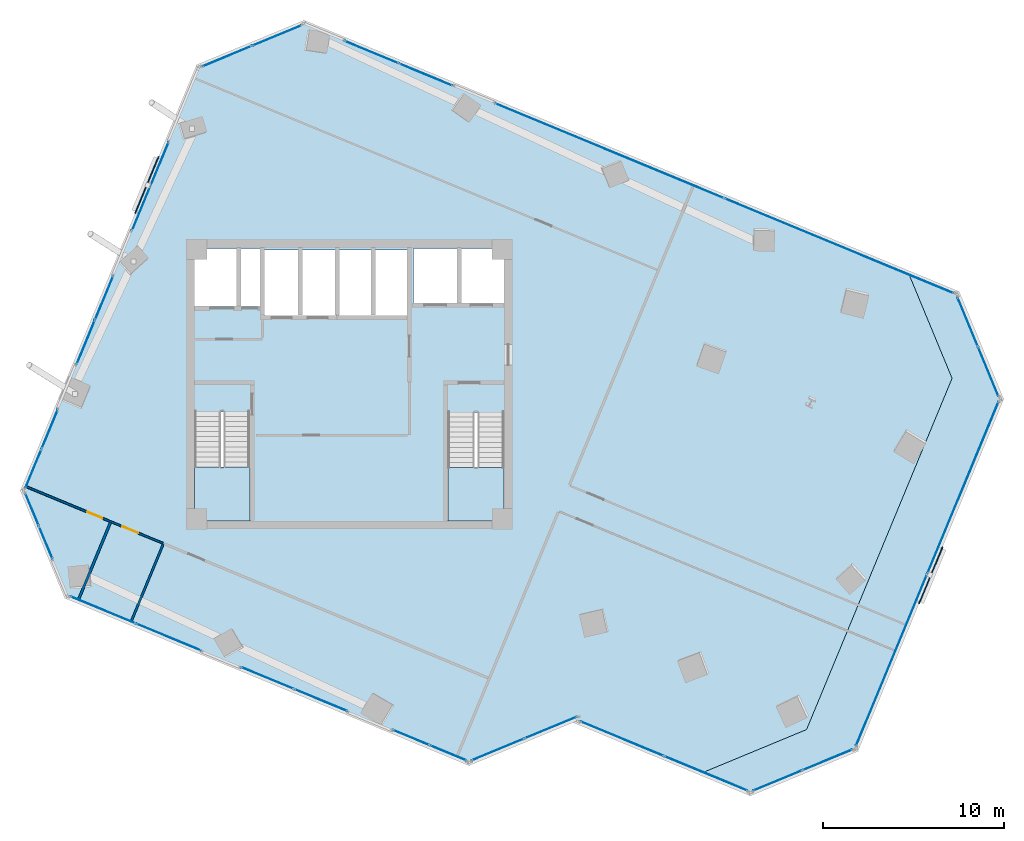
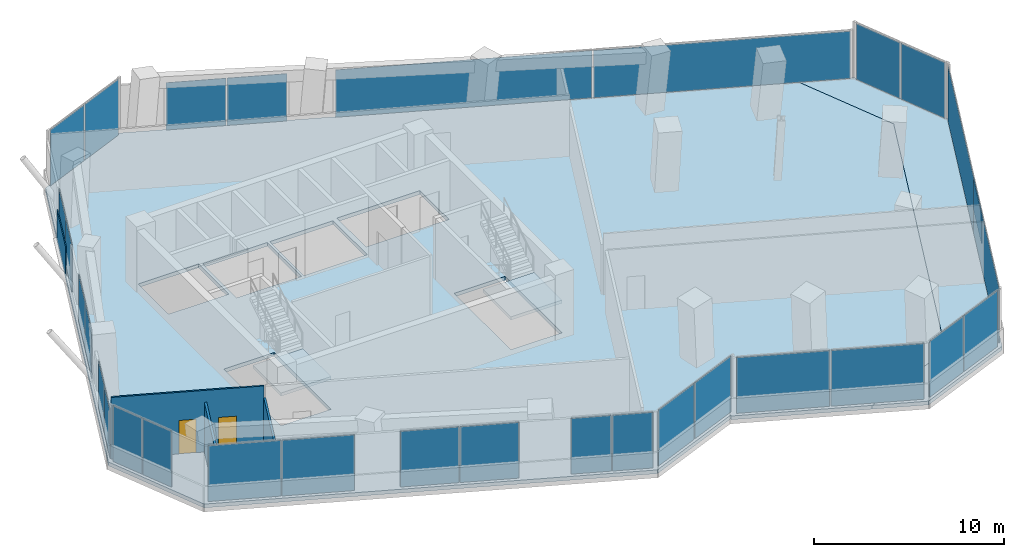
# One storey, part 16 of 22: 32 plates, 4 slabs, 3 walls, 2 doors, 2 openings, 17 elements without a shape of their own.
"""IFC4 building model written with IfcOpenShell, lengths in metres."""

from ifc_helpers import new_model, si_unit, direction, frame, frame_2d, origin, origin_2d, place, context, subcontext, project, spatial, polyline, rectangle, outline, extrude, source, transform, mapped, material, layer, layer_set, type_object, element, fill, aggregate, save


model = new_model("IFC4")

# Units and contexts
model_context = context("Model", 3, precision=1e-05, world=origin(), true_north=direction((0.0, 1.0)))
body_context = subcontext(model_context, "Body", "Model", "MODEL_VIEW")
ifc_project = project(units=[si_unit("LENGTHUNIT", "METRE"), si_unit("AREAUNIT", "SQUARE_METRE"), si_unit("VOLUMEUNIT", "CUBIC_METRE"), si_unit("PLANEANGLEUNIT", "RADIAN"), si_unit("MASSUNIT", "GRAM", prefix="KILO")], contexts=[model_context])

# Site, building, storey
site_placement = place(None, origin())
site = spatial("IfcSite", under=ifc_project, at=site_placement, CompositionType="ELEMENT")
building_placement = place(site_placement, origin())
building = spatial("IfcBuilding", under=site, at=building_placement, Name="Torre Montelarca", CompositionType="ELEMENT")
storey_placement = place(building_placement, frame((0.0, 0.0, 149.800048828125)))
storey = spatial("IfcBuildingStorey", under=building, at=storey_placement, Name="L33", CompositionType="ELEMENT", Elevation=149.800048828125)

# Slabs
ifc_material_1 = material(Name="Concrete C40/50", Category="concrete")
ifc_layer_1 = layer(ifc_material_1, 0.239990234375, Name="Concrete C40/50", Category="concrete")
ifc_layer_set_1 = layer_set([ifc_layer_1], Name="Concrete C40/50")
slab_type_1 = type_object("IfcSlabType", Name="SL-FLR-240", PredefinedType="FLOOR", material=ifc_layer_set_1)
slab_1_placement = place(storey_placement, frame((0.0, 0.0, -0.239990234375)))
element("IfcSlab", 1, at=slab_1_placement, inside=storey, type_object=slab_type_1, Name="L33 Structural Floor Slab", PredefinedType="FLOOR", context=body_context, shape_type="SweptSolid", body=[
    extrude(outline(polyline([(24.60546875, 11.01416015625), (30.485107421875, 13.449462890625), (30.44677734375, 13.357177734375), (37.375732421875, 10.487060546875), (43.25537109375, 12.92236328125), (51.291748046875, 32.323974609375), (48.856201171875, 38.203369140625), (15.50439453125, 52.018310546875), (9.624755859375, 49.5830078125), (-0.095458984375, 26.1162109375), (2.340087890625, 20.23681640625), (24.60546875, 11.01416015625)]), holes=[polyline([(26.550048828125, 24.449951171875), (23.43994140625, 24.449951171875), (23.43994140625, 30.429931640625), (26.550048828125, 30.429931640625), (26.550048828125, 24.449951171875)]), polyline([(9.449951171875, 24.449951171875), (9.449951171875, 30.4599609375), (12.5, 30.4599609375), (12.5, 24.449951171875), (9.449951171875, 24.449951171875)]), polyline([(17.25, 35.800048828125), (13.300048828125, 35.800048828125), (13.300048828125, 39.39990234375), (17.25, 39.39990234375), (17.25, 35.800048828125)]), polyline([(21.25, 39.39990234375), (21.25, 35.800048828125), (17.39990234375, 35.800048828125), (17.39990234375, 39.39990234375), (21.25, 39.39990234375)]), polyline([(13.1201171875, 36.300048828125), (9.449951171875, 36.300048828125), (9.449951171875, 39.5), (13.1201171875, 39.5), (13.1201171875, 36.300048828125)]), polyline([(26.60009765625, 36.449951171875), (21.550048828125, 36.449951171875), (21.550048828125, 39.5), (26.60009765625, 39.5), (26.60009765625, 36.449951171875)])]), origin(), (0.0, 0.0, 1.0), 0.239990234375),
])
slab_2_placement = place(storey_placement, frame((0.0, 0.0, -0.239990234375)))
element("IfcSlab", 2, at=slab_2_placement, inside=storey, type_object=slab_type_1, Name="L33 Sliding Tray Winter Garden Floor Slab E1", PredefinedType="FLOOR", context=body_context, shape_type="SweptSolid", body=[
    extrude(outline(polyline([(48.856201171875, 38.203369140625), (51.291748046875, 32.323974609375), (43.25537109375, 12.92236328125), (37.375732421875, 10.487060546875), (40.1474609375, 9.339111328125), (46.027099609375, 11.7744140625), (54.063232421875, 31.17578125), (51.6279296875, 37.055419921875), (48.856201171875, 38.203369140625)])), origin(), (0.0, 0.0, 1.0), 0.239990234375),
])

# Stair, slab
stair_type_1 = type_object("IfcStairType", Name="ST-CORE-ST1", PredefinedType="HALF_TURN_STAIR", material=ifc_material_1)
stair_1_placement = place(storey_placement, origin())
stair_1 = element("IfcStair", 3, at=stair_1_placement, inside=storey, type_object=stair_type_1, Name="L33 Protected Exit Stair ST1", PredefinedType="HALF_TURN_STAIR")
ifc_layer_2 = layer(ifc_material_1, 0.199951171875, Name="Concrete C40/50", Category="concrete")
ifc_layer_set_2 = layer_set([ifc_layer_2], Name="Concrete C40/50")
slab_type_2 = type_object("IfcSlabType", Name="SL-ST-LAND-ST1", PredefinedType="LANDING", material=ifc_layer_set_2)
slab_3_placement = place(storey_placement, frame((0.0, 0.0, 1.89990234375)))
slab_3 = element("IfcSlab", 4, at=slab_3_placement, type_object=slab_type_2, Name="ST1 landing 1", PredefinedType="LANDING", context=body_context, shape_type="SweptSolid", body=[
    extrude(outline(polyline([(9.449951171875, 27.419921875), (9.449951171875, 24.449951171875), (12.5, 24.449951171875), (12.5, 27.419921875), (9.449951171875, 27.419921875)])), origin(), (0.0, 0.0, 1.0), 0.199951171875),
])
aggregate(stair_1, [slab_3])

stair_type_2 = type_object("IfcStairType", Name="ST-CORE-ST2", PredefinedType="HALF_TURN_STAIR", material=ifc_material_1)
stair_2_placement = place(storey_placement, origin())
stair_2 = element("IfcStair", 5, at=stair_2_placement, inside=storey, type_object=stair_type_2, Name="L33 Protected Exit Stair ST2", PredefinedType="HALF_TURN_STAIR")
ifc_layer_3 = layer(ifc_material_1, 0.199951171875, Name="Concrete C40/50", Category="concrete")
ifc_layer_set_3 = layer_set([ifc_layer_3], Name="Concrete C40/50")
slab_type_3 = type_object("IfcSlabType", Name="SL-ST-LAND-ST2", PredefinedType="LANDING", material=ifc_layer_set_3)
slab_4_placement = place(storey_placement, frame((0.0, 0.0, 1.89990234375)))
slab_4 = element("IfcSlab", 6, at=slab_4_placement, type_object=slab_type_3, Name="ST2 landing 1", PredefinedType="LANDING", context=body_context, shape_type="SweptSolid", body=[
    extrude(outline(polyline([(23.43994140625, 27.389892578125), (23.43994140625, 24.449951171875), (26.550048828125, 24.449951171875), (26.550048828125, 27.389892578125), (23.43994140625, 27.389892578125)])), origin(), (0.0, 0.0, 1.0), 0.199951171875),
])
aggregate(stair_2, [slab_4])

# Plates
ifc_material_2 = material(Name="Architectural perforated terracotta ceramic", Category="masonry")
ifc_layer_4 = layer(ifc_material_2, 0.074951171875, Name="Architectural perforated terracotta ceramic", Category="masonry")
ifc_layer_set_4 = layer_set([ifc_layer_4], Name="Architectural perforated terracotta ceramic")
plate_type_1 = type_object("IfcPlateType", Name="SCR-CER-75", PredefinedType="USERDEFINED", material=ifc_layer_set_4)
shared_shape_1 = source(origin(), body_context, "Body", "SweptSolid", [
    extrude(rectangle(XDim=3.39990234375, YDim=0.06005859375, at=origin_2d()), origin(), (0.0, 0.0, 1.0), 1.89990234375),
])
for number, where, z_axis, x_axis, name in (
    (7, (50.119140625, 21.4443359375, 0.5), (0.0, 0.0, 1.0), (0.382680207415, 0.923880868323, 0.0), "L33 Perforated Ceramic Brise-Soleil Screen E6-1"),
    (8, (6.814697265625, 43.008056640625, 0.5), (0.0, 0.0, 1.0), (-0.382680207415, -0.923880868323, 0.0), "L33 Perforated Ceramic Brise-Soleil Screen E10-1"),
):
    element("IfcPlate", number, at=place(storey_placement, frame(where, z_axis=z_axis, x_axis=x_axis)), inside=storey, type_object=plate_type_1, Name=name, ObjectType="SOLAR SCREEN", PredefinedType="USERDEFINED", context=body_context, shape_type="MappedRepresentation", body=[
        mapped(shared_shape_1, transform((0.0, 0.0, 0.0), scale=1.0)),
    ])

# Curtain wall, plates
ifc_material_3 = material(Name="Insulated low-E laminated glass", Category="glass")
curtain_wall_type = type_object("IfcCurtainWallType", Name="CW-SYS-Z2", PredefinedType="USERDEFINED", material=ifc_material_3)
curtain_wall_1_placement = place(storey_placement, origin())
curtain_wall_1 = element("IfcCurtainWall", 9, at=curtain_wall_1_placement, inside=storey, type_object=curtain_wall_type, Name="L33 Curtain Wall Run CW-T3-L33-E05-B1", ObjectType="UNITISED GLAZING", PredefinedType="USERDEFINED")
ifc_layer_5 = layer(ifc_material_3, 0.031982421875, Name="Insulated low-E laminated glass", Category="glass")
ifc_layer_set_5 = layer_set([ifc_layer_5], Name="Insulated low-E laminated glass")
plate_type_2 = type_object("IfcPlateType", Name="CWP-GLZ-32", PredefinedType="CURTAIN_PANEL", material=ifc_layer_set_5)
shared_shape_2 = source(origin(), body_context, "Body", "SweptSolid", [
    extrude(rectangle(XDim=2.918701171875, YDim=0.031982421875, at=origin_2d()), origin(), (0.0, 0.0, 1.0), 3.590087890625),
])
plate_1_placement = place(storey_placement, frame((41.6591796875, 10.10595703125, 0.06494140625), z_axis=(0.0, 0.0, 1.0), x_axis=(0.923888535136, 0.382661697384, 0.0)))
plate_1 = element("IfcPlate", 10, at=plate_1_placement, type_object=plate_type_2, Name="CW panel 1.1", PredefinedType="CURTAIN_PANEL", context=body_context, shape_type="MappedRepresentation", body=[
    mapped(shared_shape_2, transform((0.0, 0.0, 0.0), scale=1.0)),
])
plate_2_placement = place(storey_placement, frame((44.415771484375, 11.24755859375, 0.06494140625), z_axis=(0.0, 0.0, 1.0), x_axis=(0.923888535136, 0.382661697384, 0.0)))
plate_2 = element("IfcPlate", 11, at=plate_2_placement, type_object=plate_type_2, Name="CW panel 2.1", PredefinedType="CURTAIN_PANEL", context=body_context, shape_type="MappedRepresentation", body=[
    mapped(shared_shape_2, transform((0.0, 0.0, 0.0), scale=1.0)),
])
aggregate(curtain_wall_1, [plate_1, plate_2])

curtain_wall_2_placement = place(storey_placement, origin())
curtain_wall_2 = element("IfcCurtainWall", 12, at=curtain_wall_2_placement, inside=storey, type_object=curtain_wall_type, Name="L33 Curtain Wall Run CW-T3-L33-E09-B1", ObjectType="UNITISED GLAZING", PredefinedType="USERDEFINED")
plate_3_placement = place(storey_placement, frame((13.992431640625, 51.25146484375, 0.06494140625), z_axis=(0.0, 0.0, 1.0), x_axis=(-0.923882674262, -0.38267584742, 0.0)))
plate_3 = element("IfcPlate", 13, at=plate_3_placement, type_object=plate_type_2, Name="CW panel 1.1", PredefinedType="CURTAIN_PANEL", context=body_context, shape_type="MappedRepresentation", body=[
    mapped(shared_shape_2, transform((0.0, 0.0, 0.0), scale=1.0)),
])
plate_4_placement = place(storey_placement, frame((11.236083984375, 50.109619140625, 0.06494140625), z_axis=(0.0, 0.0, 1.0), x_axis=(-0.923882674262, -0.38267584742, 0.0)))
plate_4 = element("IfcPlate", 14, at=plate_4_placement, type_object=plate_type_2, Name="CW panel 2.1", PredefinedType="CURTAIN_PANEL", context=body_context, shape_type="MappedRepresentation", body=[
    mapped(shared_shape_2, transform((0.0, 0.0, 0.0), scale=1.0)),
])
aggregate(curtain_wall_2, [plate_3, plate_4])

curtain_wall_3_placement = place(storey_placement, origin())
curtain_wall_3 = element("IfcCurtainWall", 15, at=curtain_wall_3_placement, inside=storey, type_object=curtain_wall_type, Name="L33 Curtain Wall Run CW-T3-L33-E01-B3", ObjectType="UNITISED GLAZING", PredefinedType="USERDEFINED")
shared_shape_3 = source(origin(), body_context, "Body", "SweptSolid", [
    extrude(rectangle(XDim=2.142822265625, YDim=0.031982421875, at=origin_2d()), origin(), (0.0, 0.0, 1.0), 3.590087890625),
])
plate_5_placement = place(storey_placement, frame((21.412353515625, 12.4775390625, 0.06494140625), z_axis=(0.0, 0.0, 1.0), x_axis=(0.923882455373, -0.382676375878, 0.0)))
plate_5 = element("IfcPlate", 16, at=plate_5_placement, type_object=plate_type_2, Name="CW panel 1.1", PredefinedType="CURTAIN_PANEL", context=body_context, shape_type="MappedRepresentation", body=[
    mapped(shared_shape_3, transform((0.0, 0.0, 0.0), scale=1.0)),
])
plate_6_placement = place(storey_placement, frame((23.451904296875, 11.632568359375, 0.06494140625), z_axis=(0.0, 0.0, 1.0), x_axis=(0.923882455373, -0.382676375878, 0.0)))
plate_6 = element("IfcPlate", 17, at=plate_6_placement, type_object=plate_type_2, Name="CW panel 2.1", PredefinedType="CURTAIN_PANEL", context=body_context, shape_type="MappedRepresentation", body=[
    mapped(shared_shape_3, transform((0.0, 0.0, 0.0), scale=1.0)),
])
aggregate(curtain_wall_3, [plate_5, plate_6])

curtain_wall_4_placement = place(storey_placement, origin())
curtain_wall_4 = element("IfcCurtainWall", 18, at=curtain_wall_4_placement, inside=storey, type_object=curtain_wall_type, Name="L33 Curtain Wall Run CW-T3-L33-E08-B2", ObjectType="UNITISED GLAZING", PredefinedType="USERDEFINED")
shared_shape_4 = source(origin(), body_context, "Body", "SweptSolid", [
    extrude(rectangle(XDim=3.1767578125, YDim=0.031982421875, at=origin_2d()), origin(), (0.0, 0.0, 1.0), 3.044921875),
])
plate_7_placement = place(storey_placement, frame((22.219970703125, 49.095947265625, 0.06494140625), z_axis=(0.0, 0.0, 1.0), x_axis=(-0.923875940779, 0.382692103459, 0.0)))
plate_7 = element("IfcPlate", 19, at=plate_7_placement, type_object=plate_type_2, Name="CW panel 1.1", PredefinedType="CURTAIN_PANEL", context=body_context, shape_type="MappedRepresentation", body=[
    mapped(shared_shape_4, transform((0.0, 0.0, 0.0), scale=1.0)),
])
plate_8_placement = place(storey_placement, frame((19.224853515625, 50.33642578125, 0.06494140625), z_axis=(0.0, 0.0, 1.0), x_axis=(-0.923875940779, 0.382692103459, 0.0)))
plate_8 = element("IfcPlate", 20, at=plate_8_placement, type_object=plate_type_2, Name="CW panel 2.1", PredefinedType="CURTAIN_PANEL", context=body_context, shape_type="MappedRepresentation", body=[
    mapped(shared_shape_4, transform((0.0, 0.0, 0.0), scale=1.0)),
])
aggregate(curtain_wall_4, [plate_7, plate_8])

curtain_wall_5_placement = place(storey_placement, origin())
curtain_wall_5 = element("IfcCurtainWall", 21, at=curtain_wall_5_placement, inside=storey, type_object=curtain_wall_type, Name="L33 Curtain Wall Run CW-T3-L33-E02-B1", ObjectType="UNITISED GLAZING", PredefinedType="USERDEFINED")
shared_shape_5 = source(origin(), body_context, "Body", "SweptSolid", [
    extrude(rectangle(XDim=3.1025390625, YDim=0.031982421875, at=origin_2d()), origin(), (0.0, 0.0, 1.0), 3.590087890625),
])
plate_9_placement = place(storey_placement, frame((26.2021484375, 11.816162109375, 0.06494140625), z_axis=(0.0, 0.0, 1.0), x_axis=(0.92388524298, 0.382669645783, 0.0)))
plate_9 = element("IfcPlate", 22, at=plate_9_placement, type_object=plate_type_2, Name="CW panel 1.1", PredefinedType="CURTAIN_PANEL", context=body_context, shape_type="MappedRepresentation", body=[
    mapped(shared_shape_5, transform((0.0, 0.0, 0.0), scale=1.0)),
])
plate_10_placement = place(storey_placement, frame((29.128662109375, 13.0283203125, 0.06494140625), z_axis=(0.0, 0.0, 1.0), x_axis=(0.92388524298, 0.382669645783, 0.0)))
plate_10 = element("IfcPlate", 23, at=plate_10_placement, type_object=plate_type_2, Name="CW panel 2.1", PredefinedType="CURTAIN_PANEL", context=body_context, shape_type="MappedRepresentation", body=[
    mapped(shared_shape_5, transform((0.0, 0.0, 0.0), scale=1.0)),
])
aggregate(curtain_wall_5, [plate_9, plate_10])

curtain_wall_6_placement = place(storey_placement, origin())
curtain_wall_6 = element("IfcCurtainWall", 24, at=curtain_wall_6_placement, inside=storey, type_object=curtain_wall_type, Name="L33 Curtain Wall Run CW-T3-L33-E04-B1", ObjectType="UNITISED GLAZING", PredefinedType="USERDEFINED")
shared_shape_6 = source(origin(), body_context, "Body", "SweptSolid", [
    extrude(rectangle(XDim=4.948486328125, YDim=0.031982421875, at=origin_2d()), origin(), (0.0, 0.0, 1.0), 3.590087890625),
])
plate_11_placement = place(storey_placement, frame((33.066162109375, 12.412841796875, 0.06494140625), z_axis=(0.0, 0.0, 1.0), x_axis=(0.923884591678, -0.382671218228, 0.0)))
plate_11 = element("IfcPlate", 25, at=plate_11_placement, type_object=plate_type_2, Name="CW panel 1.1", PredefinedType="CURTAIN_PANEL", context=body_context, shape_type="MappedRepresentation", body=[
    mapped(shared_shape_6, transform((0.0, 0.0, 0.0), scale=1.0)),
])
plate_12_placement = place(storey_placement, frame((37.697998046875, 10.494384765625, 0.06494140625), z_axis=(0.0, 0.0, 1.0), x_axis=(0.923884591678, -0.382671218228, 0.0)))
plate_12 = element("IfcPlate", 26, at=plate_12_placement, type_object=plate_type_2, Name="CW panel 2.1", PredefinedType="CURTAIN_PANEL", context=body_context, shape_type="MappedRepresentation", body=[
    mapped(shared_shape_6, transform((0.0, 0.0, 0.0), scale=1.0)),
])
aggregate(curtain_wall_6, [plate_11, plate_12])

curtain_wall_7_placement = place(storey_placement, origin())
curtain_wall_7 = element("IfcCurtainWall", 27, at=curtain_wall_7_placement, inside=storey, type_object=curtain_wall_type, Name="L33 Curtain Wall Run CW-T3-L33-E06-B1", ObjectType="UNITISED GLAZING", PredefinedType="USERDEFINED")
shared_shape_7 = source(origin(), body_context, "Body", "SweptSolid", [
    extrude(rectangle(XDim=10.236572265625, YDim=0.031982421875, at=origin_2d()), origin(), (0.0, 0.0, 1.0), 3.590087890625),
])
plate_13_placement = place(storey_placement, frame((47.953857421875, 16.76611328125, 0.06494140625), z_axis=(0.0, 0.0, 1.0), x_axis=(0.38267897329, 0.923881379508, 0.0)))
plate_13 = element("IfcPlate", 28, at=plate_13_placement, type_object=plate_type_2, Name="CW panel 1.1", PredefinedType="CURTAIN_PANEL", context=body_context, shape_type="MappedRepresentation", body=[
    mapped(shared_shape_7, transform((0.0, 0.0, 0.0), scale=1.0)),
])
plate_14_placement = place(storey_placement, frame((51.896240234375, 26.283447265625, 0.06494140625), z_axis=(0.0, 0.0, 1.0), x_axis=(0.38267897329, 0.923881379508, 0.0)))
plate_14 = element("IfcPlate", 29, at=plate_14_placement, type_object=plate_type_2, Name="CW panel 2.1", PredefinedType="CURTAIN_PANEL", context=body_context, shape_type="MappedRepresentation", body=[
    mapped(shared_shape_7, transform((0.0, 0.0, 0.0), scale=1.0)),
])
aggregate(curtain_wall_7, [plate_13, plate_14])

curtain_wall_8_placement = place(storey_placement, origin())
curtain_wall_8 = element("IfcCurtainWall", 30, at=curtain_wall_8_placement, inside=storey, type_object=curtain_wall_type, Name="L33 Curtain Wall Run CW-T3-L33-E07-B1", ObjectType="UNITISED GLAZING", PredefinedType="USERDEFINED")
shared_shape_8 = source(origin(), body_context, "Body", "SweptSolid", [
    extrude(rectangle(XDim=2.91845703125, YDim=0.031982421875, at=origin_2d()), origin(), (0.0, 0.0, 1.0), 3.590087890625),
])
plate_15_placement = place(storey_placement, frame((53.29638671875, 32.6875, 0.06494140625), z_axis=(0.0, 0.0, 1.0), x_axis=(-0.38266755826, 0.923886107621, 0.0)))
plate_15 = element("IfcPlate", 31, at=plate_15_placement, type_object=plate_type_2, Name="CW panel 1.1", PredefinedType="CURTAIN_PANEL", context=body_context, shape_type="MappedRepresentation", body=[
    mapped(shared_shape_8, transform((0.0, 0.0, 0.0), scale=1.0)),
])
plate_16_placement = place(storey_placement, frame((52.15478515625, 35.444091796875, 0.06494140625), z_axis=(0.0, 0.0, 1.0), x_axis=(-0.38266755826, 0.923886107621, 0.0)))
plate_16 = element("IfcPlate", 32, at=plate_16_placement, type_object=plate_type_2, Name="CW panel 2.1", PredefinedType="CURTAIN_PANEL", context=body_context, shape_type="MappedRepresentation", body=[
    mapped(shared_shape_8, transform((0.0, 0.0, 0.0), scale=1.0)),
])
aggregate(curtain_wall_8, [plate_15, plate_16])

curtain_wall_9_placement = place(storey_placement, origin())
curtain_wall_9 = element("IfcCurtainWall", 33, at=curtain_wall_9_placement, inside=storey, type_object=curtain_wall_type, Name="L33 Curtain Wall Run CW-T3-L33-E01-B1", ObjectType="UNITISED GLAZING", PredefinedType="USERDEFINED")
shared_shape_9 = source(origin(), body_context, "Body", "SweptSolid", [
    extrude(rectangle(XDim=3.86181640625, YDim=0.031982421875, at=origin_2d()), origin(), (0.0, 0.0, 1.0), 3.590087890625),
])
plate_17_placement = place(storey_placement, frame((4.386962890625, 19.529541015625, 0.06494140625), z_axis=(0.0, 0.0, 1.0), x_axis=(0.923882307814, -0.382676732123, 0.0)))
plate_17 = element("IfcPlate", 34, at=plate_17_placement, type_object=plate_type_2, Name="CW panel 1.1", PredefinedType="CURTAIN_PANEL", context=body_context, shape_type="MappedRepresentation", body=[
    mapped(shared_shape_9, transform((0.0, 0.0, 0.0), scale=1.0)),
])
plate_18_placement = place(storey_placement, frame((8.0146484375, 18.02685546875, 0.06494140625), z_axis=(0.0, 0.0, 1.0), x_axis=(0.923882307814, -0.382676732123, 0.0)))
plate_18 = element("IfcPlate", 35, at=plate_18_placement, type_object=plate_type_2, Name="CW panel 2.1", PredefinedType="CURTAIN_PANEL", context=body_context, shape_type="MappedRepresentation", body=[
    mapped(shared_shape_9, transform((0.0, 0.0, 0.0), scale=1.0)),
])
aggregate(curtain_wall_9, [plate_17, plate_18])

curtain_wall_10_placement = place(storey_placement, origin())
curtain_wall_10 = element("IfcCurtainWall", 36, at=curtain_wall_10_placement, inside=storey, type_object=curtain_wall_type, Name="L33 Curtain Wall Run CW-T3-L33-E01-B2", ObjectType="UNITISED GLAZING", PredefinedType="USERDEFINED")
shared_shape_10 = source(origin(), body_context, "Body", "SweptSolid", [
    extrude(rectangle(XDim=3.119384765625, YDim=0.031982421875, at=origin_2d()), origin(), (0.0, 0.0, 1.0), 3.590087890625),
])
plate_19_placement = place(storey_placement, frame((13.481201171875, 15.7626953125, 0.06494140625), z_axis=(0.0, 0.0, 1.0), x_axis=(0.923877788218, -0.382687643434, 0.0)))
plate_19 = element("IfcPlate", 37, at=plate_19_placement, type_object=plate_type_2, Name="CW panel 1.1", PredefinedType="CURTAIN_PANEL", context=body_context, shape_type="MappedRepresentation", body=[
    mapped(shared_shape_10, transform((0.0, 0.0, 0.0), scale=1.0)),
])
plate_20_placement = place(storey_placement, frame((16.42333984375, 14.5439453125, 0.06494140625), z_axis=(0.0, 0.0, 1.0), x_axis=(0.923877788218, -0.382687643434, 0.0)))
plate_20 = element("IfcPlate", 38, at=plate_20_placement, type_object=plate_type_2, Name="CW panel 2.1", PredefinedType="CURTAIN_PANEL", context=body_context, shape_type="MappedRepresentation", body=[
    mapped(shared_shape_10, transform((0.0, 0.0, 0.0), scale=1.0)),
])
aggregate(curtain_wall_10, [plate_19, plate_20])

curtain_wall_11_placement = place(storey_placement, origin())
curtain_wall_11 = element("IfcCurtainWall", 39, at=curtain_wall_11_placement, inside=storey, type_object=curtain_wall_type, Name="L33 Curtain Wall Run CW-T3-L33-E08-B1", ObjectType="UNITISED GLAZING", PredefinedType="USERDEFINED")
shared_shape_11 = source(origin(), body_context, "Body", "SweptSolid", [
    extrude(rectangle(XDim=13.659912109375, YDim=0.031982421875, at=origin_2d()), origin(), (0.0, 0.0, 1.0), 3.044921875),
])
plate_21_placement = place(storey_placement, frame((45.054931640625, 39.63720703125, 0.06494140625), z_axis=(0.0, 0.0, 1.0), x_axis=(-0.923878451384, 0.382686042427, 0.0)))
plate_21 = element("IfcPlate", 40, at=plate_21_placement, type_object=plate_type_2, Name="CW panel 1.1", PredefinedType="CURTAIN_PANEL", context=body_context, shape_type="MappedRepresentation", body=[
    mapped(shared_shape_11, transform((0.0, 0.0, 0.0), scale=1.0)),
])
plate_22_placement = place(storey_placement, frame((32.374755859375, 44.8896484375, 0.06494140625), z_axis=(0.0, 0.0, 1.0), x_axis=(-0.923878451384, 0.382686042427, 0.0)))
plate_22 = element("IfcPlate", 41, at=plate_22_placement, type_object=plate_type_2, Name="CW panel 2.1", PredefinedType="CURTAIN_PANEL", context=body_context, shape_type="MappedRepresentation", body=[
    mapped(shared_shape_11, transform((0.0, 0.0, 0.0), scale=1.0)),
])
aggregate(curtain_wall_11, [plate_21, plate_22])

curtain_wall_12_placement = place(storey_placement, origin())
curtain_wall_12 = element("IfcCurtainWall", 42, at=curtain_wall_12_placement, inside=storey, type_object=curtain_wall_type, Name="L33 Curtain Wall Run CW-T3-L33-E10-B1", ObjectType="UNITISED GLAZING", PredefinedType="USERDEFINED")
shared_shape_12 = source(origin(), body_context, "Body", "SweptSolid", [
    extrude(rectangle(XDim=2.587890625, YDim=0.031982421875, at=origin_2d()), origin(), (0.0, 0.0, 1.0), 3.044921875),
])
plate_23_placement = place(storey_placement, frame((7.516357421875, 44.1533203125, 0.06494140625), z_axis=(0.0, 0.0, 1.0), x_axis=(-0.382685613622, -0.923878629002, 0.0)))
plate_23 = element("IfcPlate", 43, at=plate_23_placement, type_object=plate_type_2, Name="CW panel 1.1", PredefinedType="CURTAIN_PANEL", context=body_context, shape_type="MappedRepresentation", body=[
    mapped(shared_shape_12, transform((0.0, 0.0, 0.0), scale=1.0)),
])
plate_24_placement = place(storey_placement, frame((6.501220703125, 41.702392578125, 0.06494140625), z_axis=(0.0, 0.0, 1.0), x_axis=(-0.382685613622, -0.923878629002, 0.0)))
plate_24 = element("IfcPlate", 44, at=plate_24_placement, type_object=plate_type_2, Name="CW panel 2.1", PredefinedType="CURTAIN_PANEL", context=body_context, shape_type="MappedRepresentation", body=[
    mapped(shared_shape_12, transform((0.0, 0.0, 0.0), scale=1.0)),
])
aggregate(curtain_wall_12, [plate_23, plate_24])

curtain_wall_13_placement = place(storey_placement, origin())
curtain_wall_13 = element("IfcCurtainWall", 45, at=curtain_wall_13_placement, inside=storey, type_object=curtain_wall_type, Name="L33 Curtain Wall Run CW-T3-L33-E10-B2", ObjectType="UNITISED GLAZING", PredefinedType="USERDEFINED")
shared_shape_13 = source(origin(), body_context, "Body", "SweptSolid", [
    extrude(rectangle(XDim=2.5849609375, YDim=0.031982421875, at=origin_2d()), origin(), (0.0, 0.0, 1.0), 3.044921875),
])
plate_25_placement = place(storey_placement, frame((4.456298828125, 36.76513671875, 0.06494140625), z_axis=(0.0, 0.0, 1.0), x_axis=(-0.382684873271, -0.923878935667, 0.0)))
plate_25 = element("IfcPlate", 46, at=plate_25_placement, type_object=plate_type_2, Name="CW panel 1.1", PredefinedType="CURTAIN_PANEL", context=body_context, shape_type="MappedRepresentation", body=[
    mapped(shared_shape_13, transform((0.0, 0.0, 0.0), scale=1.0)),
])
plate_26_placement = place(storey_placement, frame((3.442138671875, 34.31689453125, 0.06494140625), z_axis=(0.0, 0.0, 1.0), x_axis=(-0.382684873271, -0.923878935667, 0.0)))
plate_26 = element("IfcPlate", 47, at=plate_26_placement, type_object=plate_type_2, Name="CW panel 2.1", PredefinedType="CURTAIN_PANEL", context=body_context, shape_type="MappedRepresentation", body=[
    mapped(shared_shape_13, transform((0.0, 0.0, 0.0), scale=1.0)),
])
aggregate(curtain_wall_13, [plate_25, plate_26])

curtain_wall_14_placement = place(storey_placement, origin())
curtain_wall_14 = element("IfcCurtainWall", 48, at=curtain_wall_14_placement, inside=storey, type_object=curtain_wall_type, Name="L33 Curtain Wall Run CW-T3-L33-E10-B3", ObjectType="UNITISED GLAZING", PredefinedType="USERDEFINED")
shared_shape_14 = source(origin(), body_context, "Body", "SweptSolid", [
    extrude(rectangle(XDim=2.289306640625, YDim=0.031982421875, at=origin_2d()), origin(), (0.0, 0.0, 1.0), 3.044921875),
])
plate_27_placement = place(storey_placement, frame((1.4521484375, 29.512451171875, 0.06494140625), z_axis=(0.0, 0.0, 1.0), x_axis=(-0.382682346283, -0.92387998238, 0.0)))
plate_27 = element("IfcPlate", 49, at=plate_27_placement, type_object=plate_type_2, Name="CW panel 1.1", PredefinedType="CURTAIN_PANEL", context=body_context, shape_type="MappedRepresentation", body=[
    mapped(shared_shape_14, transform((0.0, 0.0, 0.0), scale=1.0)),
])
plate_28_placement = place(storey_placement, frame((0.551025390625, 27.33740234375, 0.06494140625), z_axis=(0.0, 0.0, 1.0), x_axis=(-0.382682346283, -0.92387998238, 0.0)))
plate_28 = element("IfcPlate", 50, at=plate_28_placement, type_object=plate_type_2, Name="CW panel 2.1", PredefinedType="CURTAIN_PANEL", context=body_context, shape_type="MappedRepresentation", body=[
    mapped(shared_shape_14, transform((0.0, 0.0, 0.0), scale=1.0)),
])
aggregate(curtain_wall_14, [plate_27, plate_28])

curtain_wall_15_placement = place(storey_placement, origin())
curtain_wall_15 = element("IfcCurtainWall", 51, at=curtain_wall_15_placement, inside=storey, type_object=curtain_wall_type, Name="L33 Curtain Wall Run CW-T3-L33-E11-B1", ObjectType="UNITISED GLAZING", PredefinedType="USERDEFINED")
shared_shape_15 = source(origin(), body_context, "Body", "SweptSolid", [
    extrude(rectangle(XDim=1.908447265625, YDim=0.031982421875, at=origin_2d()), origin(), (0.0, 0.0, 1.0), 3.590087890625),
])
plate_29_placement = place(storey_placement, frame((0.478271484375, 25.0712890625, 0.06494140625), z_axis=(0.0, 0.0, 1.0), x_axis=(0.382683490624, -0.92387950838, 0.0)))
plate_29 = element("IfcPlate", 52, at=plate_29_placement, type_object=plate_type_2, Name="CW panel 1.1", PredefinedType="CURTAIN_PANEL", context=body_context, shape_type="MappedRepresentation", body=[
    mapped(shared_shape_15, transform((0.0, 0.0, 0.0), scale=1.0)),
])
plate_30_placement = place(storey_placement, frame((1.2333984375, 23.248046875, 0.06494140625), z_axis=(0.0, 0.0, 1.0), x_axis=(0.382683490624, -0.92387950838, 0.0)))
plate_30 = element("IfcPlate", 53, at=plate_30_placement, type_object=plate_type_2, Name="CW panel 2.1", PredefinedType="CURTAIN_PANEL", context=body_context, shape_type="MappedRepresentation", body=[
    mapped(shared_shape_15, transform((0.0, 0.0, 0.0), scale=1.0)),
])
aggregate(curtain_wall_15, [plate_29, plate_30])

# Wall, openings, doors
ifc_material_4 = material(Name="Acoustic laminated glass partition", Category="glass")
ifc_layer_6 = layer(ifc_material_4, 0.10009765625, Name="Acoustic laminated glass partition", Category="glass")
ifc_layer_set_6 = layer_set([ifc_layer_6], Name="Acoustic laminated glass partition")
wall_type_1 = type_object("IfcWallType", Name="PW-GLAZ-100", PredefinedType="PARTITIONING", material=ifc_layer_set_6)
wall_1_placement = place(storey_placement, frame((0.185791015625, 26.32470703125, 0.0), z_axis=(0.0, 0.0, 1.0), x_axis=(0.923871890562, -0.382701881142, 0.0)))
wall_1 = element("IfcWall", 54, at=wall_1_placement, inside=storey, type_object=wall_type_1, Name="L33 Interior Partition W-L33-WCN", PredefinedType="PARTITIONING", context=body_context, shape_type="SweptSolid", body=[
    extrude(rectangle(XDim=8.1298828125, YDim=0.10009765625, at=frame_2d((4.06494140625, 0.0))), origin(), (0.0, 0.0, 1.0), 3.9599609375),
])
opening_1_placement = place(wall_1_placement, frame((3.610107421875, 0.0, 0.0)))
opening_1 = element("IfcOpeningElement", 55, at=opening_1_placement, cuts=wall_1, Name="Opening ID-090", PredefinedType="OPENING", context=body_context, shape_type="SweptSolid", body=[
    extrude(rectangle(XDim=0.89990234375, YDim=2.14990234375, at=frame_2d((0.449951171875, 1.074951171875))), frame((0.0, 0.06005859375, 0.0), z_axis=(0.0, -1.0, 0.0), x_axis=(1.0, 0.0, 0.0)), (0.0, 0.0, 1.0), 0.1201171875),
])
opening_2_placement = place(wall_1_placement, frame((5.7099609375, 0.0, 0.0)))
opening_2 = element("IfcOpeningElement", 56, at=opening_2_placement, cuts=wall_1, Name="Opening ID-095", PredefinedType="OPENING", context=body_context, shape_type="SweptSolid", body=[
    extrude(rectangle(XDim=0.949951171875, YDim=2.14990234375, at=frame_2d((0.47509765625, 1.074951171875))), frame((0.0, 0.06005859375, 0.0), z_axis=(0.0, -1.0, 0.0), x_axis=(1.0, 0.0, 0.0)), (0.0, 0.0, 1.0), 0.1201171875),
])
ifc_material_5 = material(Name="Hardwood acoustic timber veneer", Category="wood")
door_type_1 = type_object("IfcDoorType", Name="DR-INT-090", OperationType="NOTDEFINED", PredefinedType="DOOR", material=ifc_material_5)
shared_shape_16 = source(origin(), body_context, "Body", "SweptSolid", [
    extrude(rectangle(XDim=0.89990234375, YDim=2.14990234375, at=frame_2d((0.449951171875, 1.074951171875))), frame((0.0, 0.02490234375, 0.0), z_axis=(0.0, -1.0, 0.0), x_axis=(1.0, 0.0, 0.0)), (0.0, 0.0, 1.0), 0.050048828125),
])
door_1_placement = place(opening_1_placement, origin())
door_1 = element("IfcDoor", 57, at=door_1_placement, inside=storey, type_object=door_type_1, Name="L33 Interior Door 03", OperationType="SINGLE_SWING_LEFT", OverallHeight=2.14990234375, OverallWidth=0.89990234375, PredefinedType="DOOR", context=body_context, shape_type="MappedRepresentation", body=[
    mapped(shared_shape_16, transform((0.0, 0.0, 0.0), scale=1.0)),
])
fill(opening_1, door_1)
door_type_2 = type_object("IfcDoorType", Name="DR-INT-095", OperationType="NOTDEFINED", PredefinedType="DOOR", material=ifc_material_5)
shared_shape_17 = source(origin(), body_context, "Body", "SweptSolid", [
    extrude(rectangle(XDim=0.949951171875, YDim=2.14990234375, at=frame_2d((0.47509765625, 1.074951171875))), frame((0.0, 0.02490234375, 0.0), z_axis=(0.0, -1.0, 0.0), x_axis=(1.0, 0.0, 0.0)), (0.0, 0.0, 1.0), 0.050048828125),
])
door_2_placement = place(opening_2_placement, origin())
door_2 = element("IfcDoor", 58, at=door_2_placement, inside=storey, type_object=door_type_2, Name="L33 Interior Door 04", OperationType="SINGLE_SWING_RIGHT", OverallHeight=2.14990234375, OverallWidth=0.949951171875, PredefinedType="DOOR", context=body_context, shape_type="MappedRepresentation", body=[
    mapped(shared_shape_17, transform((0.0, 0.0, 0.0), scale=1.0)),
])
fill(opening_2, door_2)

# Walls
ifc_material_6 = material(Name="Gypsum plasterboard on steel stud", Category="steel")
ifc_layer_7 = layer(ifc_material_6, 0.114990234375, Name="Gypsum plasterboard on steel stud", Category="steel")
ifc_layer_set_7 = layer_set([ifc_layer_7], Name="Gypsum plasterboard on steel stud")
wall_type_2 = type_object("IfcWallType", Name="PW-PART-115", PredefinedType="PARTITIONING", material=ifc_layer_set_7)
wall_2_placement = place(storey_placement, frame((5.9658203125, 18.9296875, 0.0), z_axis=(0.0, 0.0, 1.0), x_axis=(0.382676631985, 0.923882349292, 0.0)))
element("IfcWall", 59, at=wall_2_placement, inside=storey, type_object=wall_type_2, Name="L33 Interior Partition W-L33-SWCDIV", PredefinedType="PARTITIONING", context=body_context, shape_type="SweptSolid", body=[
    extrude(rectangle(XDim=4.580078125, YDim=0.114990234375, at=frame_2d((2.2900390625, 0.0))), origin(), (0.0, 0.0, 1.0), 3.195068359375),
])
ifc_layer_8 = layer(ifc_material_6, 0.135009765625, Name="Gypsum plasterboard on steel stud", Category="steel")
ifc_layer_set_8 = layer_set([ifc_layer_8], Name="Gypsum plasterboard on steel stud")
wall_type_3 = type_object("IfcWallType", Name="PW-PART-135", PredefinedType="PARTITIONING", material=ifc_layer_set_8)
wall_3_placement = place(storey_placement, frame((3.055419921875, 20.13525390625, 0.0), z_axis=(0.0, 0.0, 1.0), x_axis=(0.382676631985, 0.923882349292, 0.0)))
element("IfcWall", 60, at=wall_3_placement, inside=storey, type_object=wall_type_3, Name="L33 Interior Partition W-L33-WCD", PredefinedType="PARTITIONING", context=body_context, shape_type="SweptSolid", body=[
    extrude(rectangle(XDim=4.580078125, YDim=0.135009765625, at=frame_2d((2.2900390625, 0.0))), origin(), (0.0, 0.0, 1.0), 3.195068359375),
])

save(model, "model.ifc")
